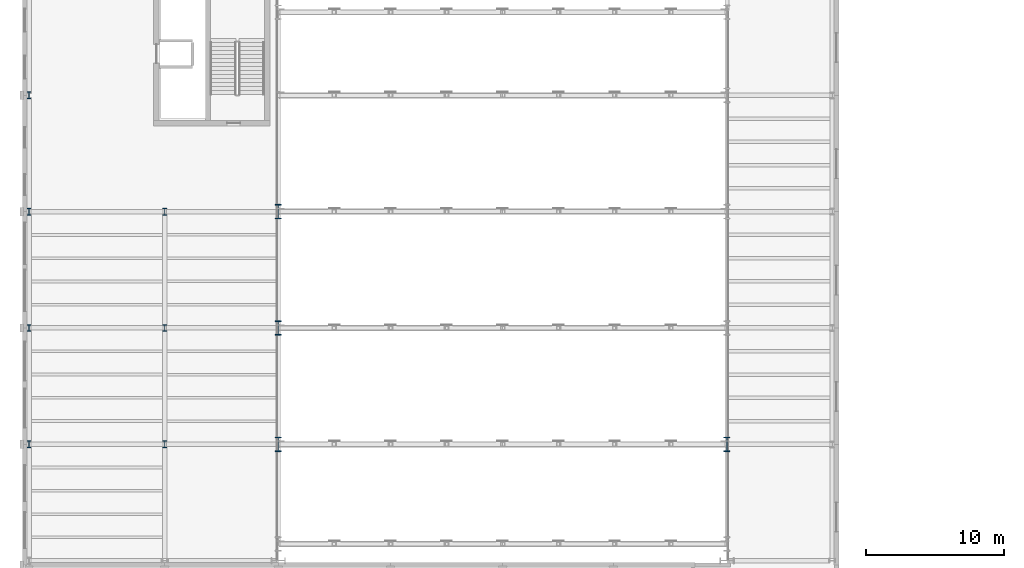
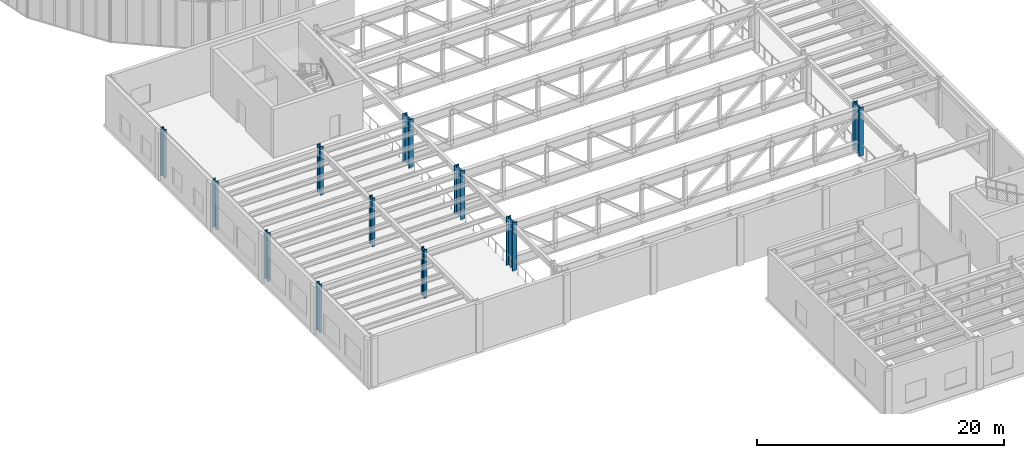
# One storey, part 3 of 91: 11 columns.
"""IFC4 building model written with IfcOpenShell, lengths in metres."""

from ifc_helpers import new_model, si_unit, direction, frame, origin, origin_2d, place, context, subcontext, project, spatial, i_section, extrude, material, material_profile, profile_set, type_object, element, save


model = new_model("IFC4")

# Units and contexts
model_context = context("Model", 3, precision=1e-05, world=origin(), true_north=direction((0.0, 1.0)))
body_context = subcontext(model_context, "Body", "Model", "MODEL_VIEW")
ifc_project = project(units=[si_unit("LENGTHUNIT", "METRE"), si_unit("AREAUNIT", "SQUARE_METRE"), si_unit("VOLUMEUNIT", "CUBIC_METRE"), si_unit("PLANEANGLEUNIT", "RADIAN"), si_unit("MASSUNIT", "GRAM", prefix="KILO")], contexts=[model_context])

# Site, building, storey
site_placement = place(None, origin())
site = spatial("IfcSite", under=ifc_project, at=site_placement, CompositionType="ELEMENT")
building_placement = place(site_placement, origin())
building = spatial("IfcBuilding", under=site, at=building_placement, Name="Sollismere Congress Hotel", CompositionType="ELEMENT")
storey_placement = place(building_placement, frame((0.0, 0.0, 10.800048828125)))
storey = spatial("IfcBuildingStorey", under=building, at=storey_placement, Name="L02", CompositionType="ELEMENT", Elevation=10.800048828125)

# Columns
ifc_material = material(Name="Steel ASTM A992 Grade 50", Category="steel")
ifc_material_profile_1 = material_profile(ifc_material, i_section(OverallWidth=0.283935546875, OverallDepth=0.4951171875, WebThickness=0.0185546875, FlangeThickness=0.033447265625, at=origin_2d()), Name="W18X143")
ifc_profile_set_1 = profile_set([ifc_material_profile_1], Name="Steel ASTM A992 Grade 50")
column_type_1 = type_object("IfcColumnType", Name="COL-W18", PredefinedType="COLUMN", material=ifc_profile_set_1)
for number, where, z_axis, x_axis, name in (
    (1, (0.0, 33.199951171875, 0.0), (0.0, 0.0, 1.0), (1.0, 0.0, 0.0), "Column CL-L02-012"),
    (2, (0.0, 41.60009765625, 0.0), (0.0, 0.0, 1.0), (1.0, 0.0, 0.0), "Column CL-L02-017"),
    (3, (0.0, 50.0, 0.0), (0.0, 0.0, 1.0), (1.0, 0.0, 0.0), "Column CL-L02-022"),
    (4, (0.0, 58.39990234375, 0.0), (0.0, 0.0, 1.0), (1.0, 0.0, 0.0), "Column CL-L02-027"),
    (5, (9.800048828125, 33.199951171875, 0.0), (0.0, 0.0, 1.0), (1.0, 0.0, 0.0), "Column CL-L02-050"),
    (6, (9.800048828125, 41.60009765625, 0.0), (0.0, 0.0, 1.0), (1.0, 0.0, 0.0), "Column CL-L02-056"),
    (7, (9.800048828125, 50.0, 0.0), (0.0, 0.0, 1.0), (1.0, 0.0, 0.0), "Column CL-L02-062"),
):
    element("IfcColumn", number, at=place(storey_placement, frame(where, z_axis=z_axis, x_axis=x_axis)), inside=storey, type_object=column_type_1, Name=name, PredefinedType="COLUMN", context=body_context, shape_type="SweptSolid", body=[
        extrude(i_section(OverallWidth=0.283935546875, OverallDepth=0.4951171875, WebThickness=0.0185546875, FlangeThickness=0.033447265625, at=origin_2d()), origin(), (0.0, 0.0, 1.0), 4.800048828125),
    ])
ifc_material_profile_2 = material_profile(ifc_material, i_section(OverallWidth=0.427001953125, OverallDepth=1.041015625, WebThickness=0.031005859375, FlangeThickness=0.055908203125, at=origin_2d()), Name="W40X397")
ifc_profile_set_2 = profile_set([ifc_material_profile_2], Name="Steel ASTM A992 Grade 50")
column_type_2 = type_object("IfcColumnType", Name="COL-W40", PredefinedType="COLUMN", material=ifc_profile_set_2)
for number, where, z_axis, x_axis, name in (
    (8, (18.0, 33.199951171875, 0.0), (0.0, 0.0, 1.0), (1.0, 0.0, 0.0), "Column CL-L02-081"),
    (9, (18.0, 41.60009765625, 0.0), (0.0, 0.0, 1.0), (1.0, 0.0, 0.0), "Column CL-L02-087"),
    (10, (18.0, 50.0, 0.0), (0.0, 0.0, 1.0), (1.0, 0.0, 0.0), "Column CL-L02-093"),
    (11, (50.39990234375, 33.199951171875, 0.0), (0.0, 0.0, 1.0), (1.0, 0.0, 0.0), "Column CL-L02-208"),
):
    element("IfcColumn", number, at=place(storey_placement, frame(where, z_axis=z_axis, x_axis=x_axis)), inside=storey, type_object=column_type_2, Name=name, PredefinedType="COLUMN", context=body_context, shape_type="SweptSolid", body=[
        extrude(i_section(OverallWidth=0.427001953125, OverallDepth=1.041015625, WebThickness=0.031005859375, FlangeThickness=0.055908203125, at=origin_2d()), origin(), (0.0, 0.0, 1.0), 4.800048828125),
    ])

save(model, "model.ifc")
